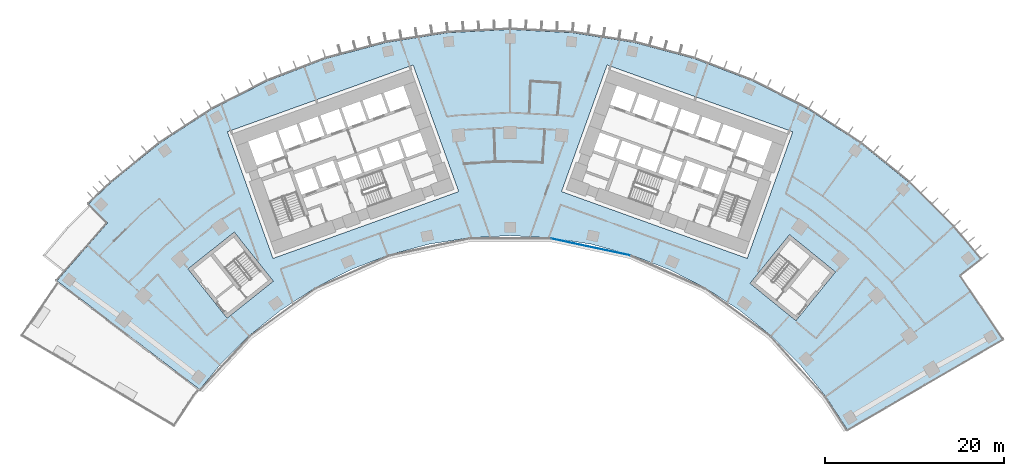
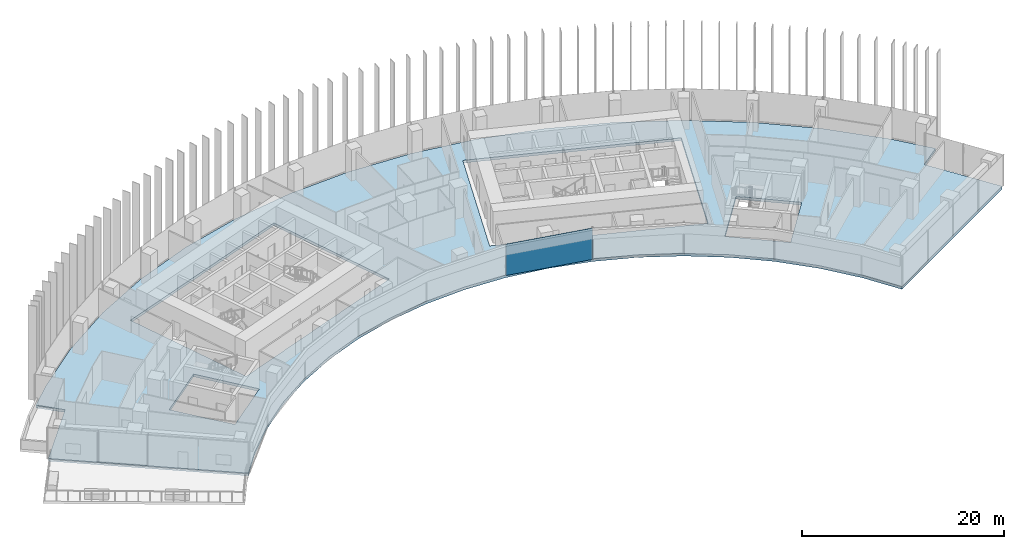
# One storey, part 12 of 21: 1 plate, 1 slab, 1 element without a shape of its own.
"""IFC4 building model written with IfcOpenShell, lengths in metres."""

from ifc_helpers import new_model, si_unit, direction, frame, origin, origin_2d, place, context, subcontext, project, spatial, polyline, rectangle, outline, extrude, material, layer, layer_set, type_object, element, aggregate, save


model = new_model("IFC4")

# Units and contexts
model_context = context("Model", 3, precision=1e-05, world=origin(), true_north=direction((0.0, 1.0)))
body_context = subcontext(model_context, "Body", "Model", "MODEL_VIEW")
ifc_project = project(units=[si_unit("LENGTHUNIT", "METRE"), si_unit("AREAUNIT", "SQUARE_METRE"), si_unit("VOLUMEUNIT", "CUBIC_METRE"), si_unit("PLANEANGLEUNIT", "RADIAN"), si_unit("MASSUNIT", "GRAM", prefix="KILO")], contexts=[model_context])

# Site, building, storey
site_placement = place(None, origin())
site = spatial("IfcSite", under=ifc_project, at=site_placement, CompositionType="ELEMENT")
building_placement = place(site_placement, origin())
building = spatial("IfcBuilding", under=site, at=building_placement, Name="Stone Belt Terrace Tower", CompositionType="ELEMENT")
storey_placement = place(building_placement, frame((0.0, 0.0, 87.0)))
storey = spatial("IfcBuildingStorey", under=building, at=storey_placement, Name="L20", CompositionType="ELEMENT", Elevation=87.0)

# Curtain wall, plate
ifc_material_1 = material(Name="Aluminium 6063-T6 anodised frame", Category="aluminium")
ifc_layer_1 = layer(ifc_material_1, 0.14990234375)
ifc_layer_set_1 = layer_set([ifc_layer_1], Name="CW-B unitised concave-face curtain wall")
curtain_wall_type = type_object("IfcCurtainWallType", Name="CW-B unitised concave-face curtain wall", PredefinedType="NOTDEFINED", material=ifc_layer_set_1)
curtain_wall_placement = place(storey_placement, origin())
curtain_wall = element("IfcCurtainWall", 1, at=curtain_wall_placement, inside=storey, type_object=curtain_wall_type, Name="CW-B concave face L20", PredefinedType="NOTDEFINED")
ifc_material_2 = material(Name="Clear double glazed unit")
ifc_layer_2 = layer(ifc_material_2, 0.030029296875)
ifc_layer_set_2 = layer_set([ifc_layer_2], Name="CW-B glass panel 30")
plate_type = type_object("IfcPlateType", Name="CW-B glass panel 30", PredefinedType="CURTAIN_PANEL", material=ifc_layer_set_2)
plate_placement = place(storey_placement, frame((8.97900390625, 42.242919921875, 0.0), z_axis=(0.0, 0.0, 1.0), x_axis=(0.978147600734, -0.207911690818, 0.0)))
plate = element("IfcPlate", 2, at=plate_placement, type_object=plate_type, Name="CW-B panel 6.1", PredefinedType="CURTAIN_PANEL", context=body_context, shape_type="SweptSolid", body=[
    extrude(rectangle(XDim=9.0126953125, YDim=0.030029296875, at=origin_2d()), origin(), (0.0, 0.0, 1.0), 3.800048828125),
])
aggregate(curtain_wall, [plate])

# Slab
ifc_material_3 = material(Name="Concrete B40", Category="concrete")
ifc_layer_3 = layer(ifc_material_3, 0.320068359375)
ifc_layer_set_3 = layer_set([ifc_layer_3], Name="Floor slab 320 B40")
slab_type = type_object("IfcSlabType", Name="Floor slab 320 B40", PredefinedType="FLOOR", material=ifc_layer_set_3)
slab_placement = place(storey_placement, frame((0.0, 0.0, -0.320068359375)))
element("IfcSlab", 3, at=slab_placement, inside=storey, type_object=slab_type, Name="Floor slab L20", PredefinedType="FLOOR", context=body_context, shape_type="SweptSolid", body=[
    extrude(outline(polyline([(-44.497314453125, 49.419189453125), (-39.087646484375, 53.799560546875), (-33.25, 57.5908203125), (-27.048095703125, 60.750732421875), (-20.549560546875, 63.245361328125), (-13.826171875, 65.046875), (-6.951171875, 66.1357421875), (0.0, 66.5), (6.951171875, 66.1357421875), (13.826171875, 65.046875), (20.549560546875, 63.245361328125), (27.048095703125, 60.750732421875), (33.25, 57.5908203125), (39.087646484375, 53.799560546875), (44.497314453125, 49.419189453125), (49.419189453125, 44.497314453125), (52.4326171875, 40.9033203125), (50.067138671875, 39.05810546875), (54.879150390625, 31.945556640625), (37.594482421875, 21.884033203125), (35.192138671875, 25.568603515625), (32.326904296875, 29.107177734375), (29.107177734375, 32.326904296875), (25.568603515625, 35.192138671875), (21.75, 37.672119140625), (17.693115234375, 39.7392578125), (13.442138671875, 41.37109375), (9.044189453125, 42.54931640625), (4.547119140625, 43.26171875), (0.0, 43.5), (-4.547119140625, 43.26171875), (-9.044189453125, 42.54931640625), (-13.442138671875, 41.37109375), (-17.693115234375, 39.7392578125), (-21.75, 37.672119140625), (-25.568603515625, 35.192138671875), (-29.107177734375, 32.326904296875), (-32.326904296875, 29.107177734375), (-34.608642578125, 26.353271484375), (-50.520751953125, 38.469482421875), (-44.8681640625, 44.934326171875), (-46.988037109375, 47.05712890625), (-44.497314453125, 49.419189453125)]), holes=[polyline([(-26.434814453125, 40.968994140625), (-5.734619140625, 48.418701171875), (-10.81396484375, 62.532470703125), (-31.51416015625, 55.082763671875), (-26.434814453125, 40.968994140625)]), polyline([(10.81396484375, 62.532470703125), (5.734619140625, 48.418701171875), (26.434814453125, 40.968994140625), (31.51416015625, 55.082763671875), (10.81396484375, 62.532470703125)]), polyline([(-35.91796875, 39.787353515625), (-31.55615234375, 34.3125), (-26.39404296875, 38.425048828125), (-30.756103515625, 43.89990234375), (-35.91796875, 39.787353515625)]), polyline([(36.2783203125, 39.459228515625), (31.15380859375, 43.61865234375), (26.742431640625, 38.18359375), (31.86669921875, 34.024169921875), (36.2783203125, 39.459228515625)])]), origin(), (0.0, 0.0, 1.0), 0.320068359375),
])

save(model, "model.ifc")
